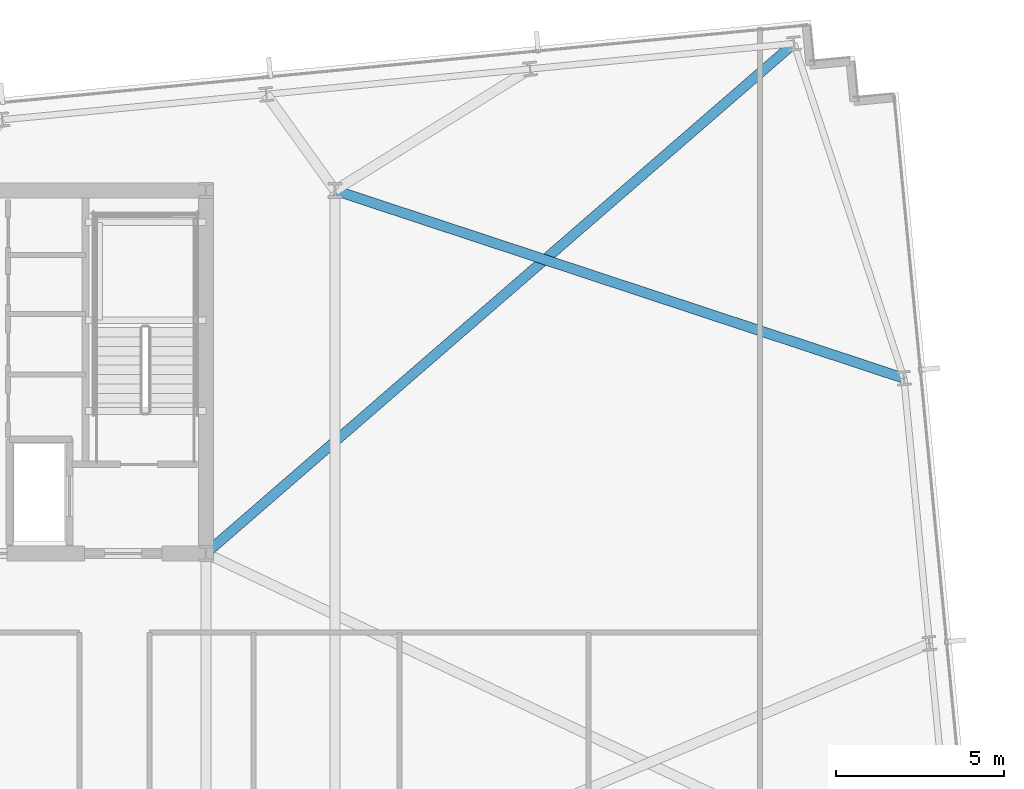
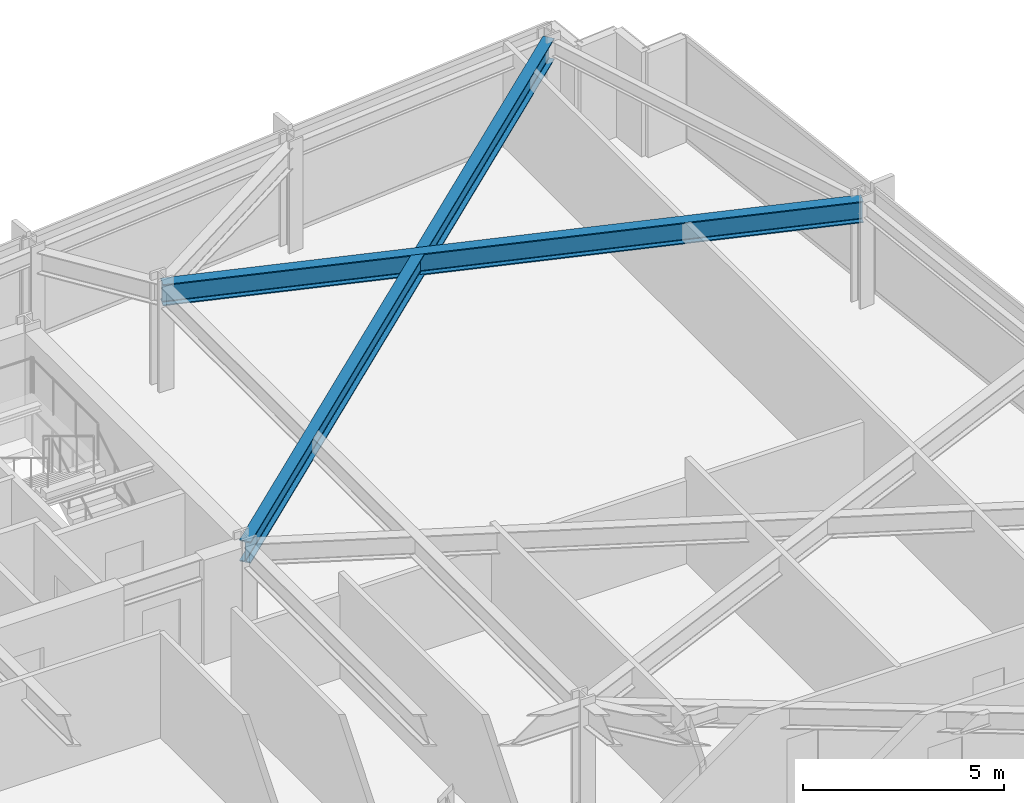
# One storey, part 22 of 33: 2 beams.
"""IFC4 building model written with IfcOpenShell, lengths in metres."""

from ifc_helpers import new_model, si_unit, direction, frame, origin, origin_2d, place, context, subcontext, project, spatial, i_section, extrude, material, material_profile, profile_set, type_object, element, save


model = new_model("IFC4")

# Units and contexts
model_context = context("Model", 3, precision=1e-05, world=origin(), true_north=direction((0.0, 1.0)))
body_context = subcontext(model_context, "Body", "Model", "MODEL_VIEW")
ifc_project = project(units=[si_unit("LENGTHUNIT", "METRE"), si_unit("AREAUNIT", "SQUARE_METRE"), si_unit("VOLUMEUNIT", "CUBIC_METRE"), si_unit("PLANEANGLEUNIT", "RADIAN"), si_unit("MASSUNIT", "GRAM", prefix="KILO")], contexts=[model_context])

# Site, building, storey
site_placement = place(None, origin())
site = spatial("IfcSite", under=ifc_project, at=site_placement, CompositionType="ELEMENT")
building_placement = place(site_placement, origin())
building = spatial("IfcBuilding", under=site, at=building_placement, Name="Yelkora Congress Tower", CompositionType="ELEMENT")
storey_placement = place(building_placement, frame((0.0, 0.0, 127.10009765625)))
storey = spatial("IfcBuildingStorey", under=building, at=storey_placement, Name="L34", CompositionType="ELEMENT", Elevation=127.10009765625)

# Beams
ifc_material = material(Name="Steel S355J2", Category="steel")
ifc_material_profile = material_profile(ifc_material, i_section(OverallWidth=0.300048828125, OverallDepth=0.64990234375, WebThickness=0.01611328125, FlangeThickness=0.031005859375, FilletRadius=0.027099609375, at=origin_2d()), Name="HEB 650")
ifc_profile_set = profile_set([ifc_material_profile], Name="Steel S355J2")
beam_type = type_object("IfcBeamType", Name="BM-GIRD-HEB650", PredefinedType="BEAM", material=ifc_profile_set)
beam_1_placement = place(storey_placement, frame((71.252685546875, 50.568115234375, 2.85498046875), z_axis=(-0.755520317406, -0.655125217029, 0.0), x_axis=(0.655125217029, -0.755520317406, 0.0)))
element("IfcBeam", 1, at=beam_1_placement, inside=storey, type_object=beam_type, Name="L34 Primary Frame Girder N08", PredefinedType="BEAM", context=body_context, shape_type="SweptSolid", body=[
    extrude(i_section(OverallWidth=0.300048828125, OverallDepth=0.64990234375, WebThickness=0.01611328125, FlangeThickness=0.031005859375, FilletRadius=0.027099609375, at=origin_2d()), origin(), (0.0, 0.0, 1.0), 23.153076171875),
])
beam_2_placement = place(storey_placement, frame((74.522216796875, 40.610595703125, 2.85498046875), z_axis=(-0.949544183597, 0.313633294465, 0.0), x_axis=(-0.313633294465, -0.949544183597, 0.0)))
element("IfcBeam", 2, at=beam_2_placement, inside=storey, type_object=beam_type, Name="L34 Primary Frame Girder E03", PredefinedType="BEAM", context=body_context, shape_type="SweptSolid", body=[
    extrude(i_section(OverallWidth=0.300048828125, OverallDepth=0.64990234375, WebThickness=0.01611328125, FlangeThickness=0.031005859375, FilletRadius=0.027099609375, at=origin_2d()), origin(), (0.0, 0.0, 1.0), 17.8212890625),
])

save(model, "model.ifc")
